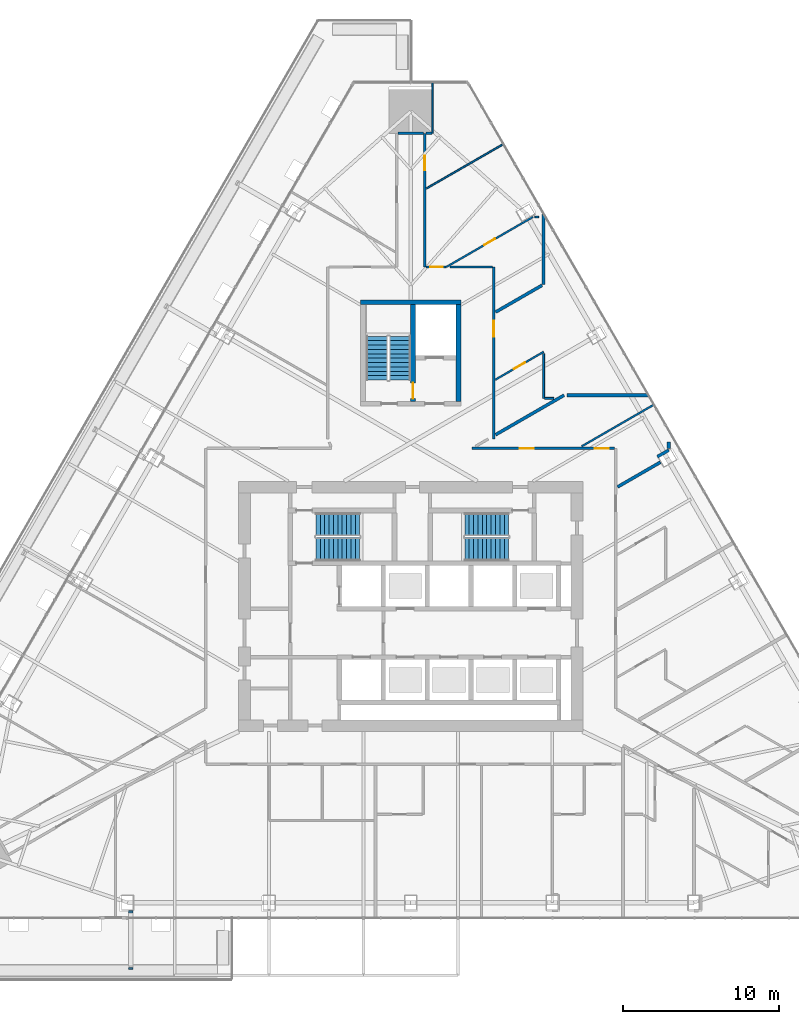
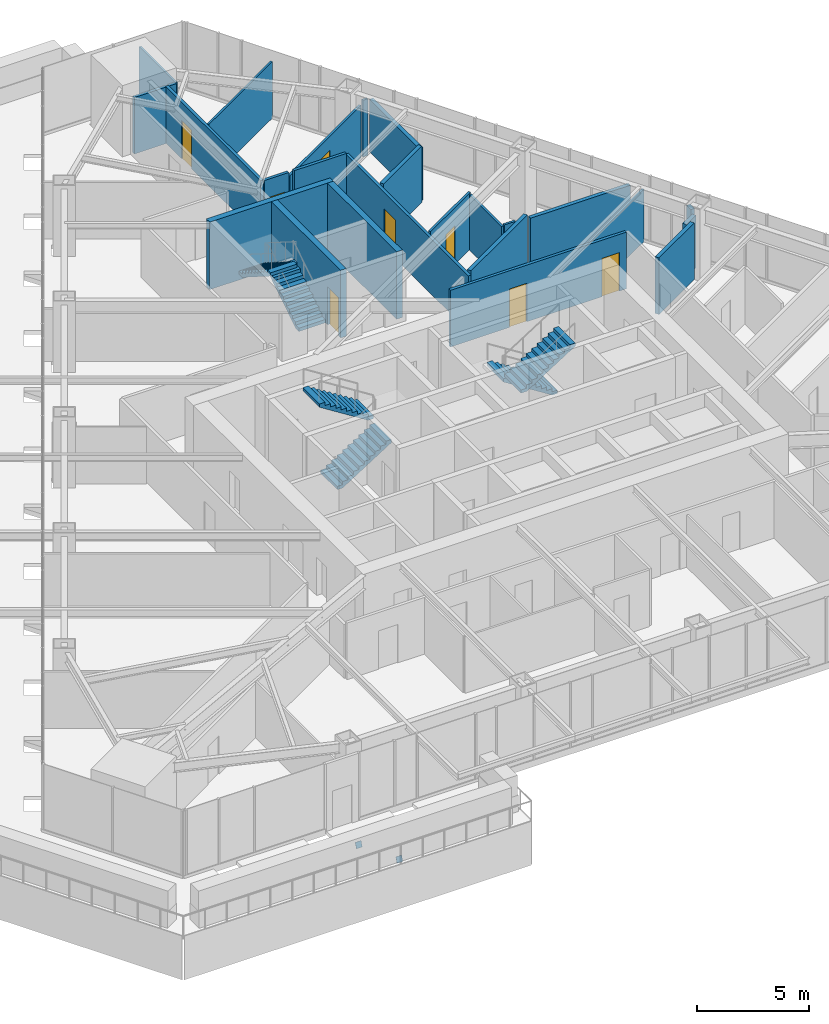
# One storey, part 31 of 35: 25 walls, 8 doors, 6 stair flights, 2 discrete accessories, 8 openings, 3 elements without a shape of their own.
"""IFC4 building model written with IfcOpenShell, lengths in metres."""

from ifc_helpers import new_model, si_unit, direction, frame, frame_2d, origin, place, context, subcontext, project, spatial, polyline, rectangle, outline, extrude, material, layer, layer_set, type_object, element, fill, aggregate, save


model = new_model("IFC4")

# Units and contexts
model_context = context("Model", 3, precision=1e-05, world=origin(), true_north=direction((0.0, 1.0)))
body_context = subcontext(model_context, "Body", "Model", "MODEL_VIEW")
ifc_project = project(units=[si_unit("LENGTHUNIT", "METRE"), si_unit("AREAUNIT", "SQUARE_METRE"), si_unit("VOLUMEUNIT", "CUBIC_METRE"), si_unit("PLANEANGLEUNIT", "RADIAN"), si_unit("MASSUNIT", "GRAM", prefix="KILO")], contexts=[model_context])

# Site, building, storey
site_placement = place(None, origin())
site = spatial("IfcSite", under=ifc_project, at=site_placement, CompositionType="ELEMENT")
building_placement = place(site_placement, origin())
building = spatial("IfcBuilding", under=site, at=building_placement, Name="Firuza Gate Tower and Library", CompositionType="ELEMENT")
storey_placement = place(building_placement, frame((0.0, 0.0, 159.699951171875)))
storey = spatial("IfcBuildingStorey", under=building, at=storey_placement, Name="L36", CompositionType="ELEMENT", Elevation=159.699951171875)

# Walls
ifc_material_1 = material(Name="Concrete C80/95", Category="concrete")
ifc_layer_1 = layer(ifc_material_1, 0.300048828125)
ifc_layer_set_1 = layer_set([ifc_layer_1], Name="Core wall 300 C80/95")
wall_type_1 = type_object("IfcWallType", Name="Core wall 300 C80/95", PredefinedType="SHEAR", material=ifc_layer_set_1)
wall_1_placement = place(storey_placement, frame((71.800048828125, 94.449951171875, 0.0), z_axis=(0.0, 0.0, 1.0), x_axis=(1.0, 0.0, 0.0)))
element("IfcWall", 1, at=wall_1_placement, inside=storey, type_object=wall_type_1, Name="Core wall L36 28", PredefinedType="SHEAR", context=body_context, shape_type="SweptSolid", body=[
    extrude(rectangle(XDim=6.39990234375, YDim=0.300048828125, at=frame_2d((3.199951171875, 0.0))), origin(), (0.0, 0.0, 1.0), 3.699951171875),
])
wall_2_placement = place(storey_placement, frame((78.050048828125, 88.10009765625, 0.0), z_axis=(0.0, 0.0, 1.0), x_axis=(0.0, 1.0, 0.0)))
element("IfcWall", 2, at=wall_2_placement, inside=storey, type_object=wall_type_1, Name="Core wall L36 30", PredefinedType="SHEAR", context=body_context, shape_type="SweptSolid", body=[
    extrude(rectangle(XDim=6.199951171875, YDim=0.300048828125, at=frame_2d((3.10009765625, 0.0))), origin(), (0.0, 0.0, 1.0), 3.699951171875),
])

# Wall, opening, door
wall_3_placement = place(storey_placement, frame((75.14990234375, 88.10009765625, 0.0), z_axis=(0.0, 0.0, 1.0), x_axis=(0.0, 1.0, 0.0)))
wall_3 = element("IfcWall", 3, at=wall_3_placement, inside=storey, type_object=wall_type_1, Name="Core wall L36 32", PredefinedType="SHEAR", context=body_context, shape_type="SweptSolid", body=[
    extrude(rectangle(XDim=6.199951171875, YDim=0.300048828125, at=frame_2d((3.10009765625, 0.0))), origin(), (0.0, 0.0, 1.0), 3.699951171875),
])
opening_1_placement = place(wall_3_placement, frame((0.18505859375, 0.0, 0.0)))
opening_1 = element("IfcOpeningElement", 4, at=opening_1_placement, cuts=wall_3, Name="Opening L36-K16", PredefinedType="OPENING", context=body_context, shape_type="SweptSolid", body=[
    extrude(rectangle(XDim=1.0, YDim=2.10009765625, at=frame_2d((0.5, 1.050048828125))), frame((0.0, 0.16015625, 0.0), z_axis=(0.0, -1.0, 0.0), x_axis=(1.0, 0.0, 0.0)), (0.0, 0.0, 1.0), 0.320068359375),
])
ifc_material_2 = material(Name="Steel", Category="steel")
door_type_1 = type_object("IfcDoorType", Name="Fire door 1000x2100 FD90", OperationType="NOTDEFINED", PredefinedType="DOOR", material=ifc_material_2)
door_1_placement = place(opening_1_placement, origin())
door_1 = element("IfcDoor", 5, at=door_1_placement, inside=storey, type_object=door_type_1, Name="Door L36-K16", OperationType="SINGLE_SWING_LEFT", OverallHeight=2.10009765625, OverallWidth=1.0, PredefinedType="DOOR", context=body_context, shape_type="SweptSolid", body=[
    extrude(rectangle(XDim=1.0, YDim=2.10009765625, at=frame_2d((0.5, 1.050048828125))), frame((0.0, 0.02490234375, 0.0), z_axis=(0.0, -1.0, 0.0), x_axis=(1.0, 0.0, 0.0)), (0.0, 0.0, 1.0), 0.050048828125),
])
fill(opening_1, door_1)

# Wall, openings, doors
ifc_material_3 = material(Name="Gypsum board partition")
ifc_layer_2 = layer(ifc_material_3, 0.14990234375)
ifc_layer_set_2 = layer_set([ifc_layer_2], Name="Corridor wall 150 double board on steel studs")
wall_type_2 = type_object("IfcWallType", Name="Corridor wall 150 double board on steel studs", PredefinedType="PARTITIONING", material=ifc_layer_set_2)
wall_4_placement = place(storey_placement, frame((78.912841796875, 85.10009765625, 0.0), z_axis=(0.0, 0.0, 1.0), x_axis=(1.0, 0.0, 0.0)))
wall_4 = element("IfcWall", 6, at=wall_4_placement, inside=storey, type_object=wall_type_2, Name="f:L36:w010", PredefinedType="PARTITIONING", context=body_context, shape_type="SweptSolid", body=[
    extrude(rectangle(XDim=9.112060546875, YDim=0.14990234375, at=frame_2d((4.55615234375, 0.0))), origin(), (0.0, 0.0, 1.0), 3.10009765625),
])
opening_2_placement = place(wall_4_placement, frame((3.04833984375, 0.0, 0.0)))
opening_2 = element("IfcOpeningElement", 7, at=opening_2_placement, cuts=wall_4, Name="Opening L36-10", PredefinedType="OPENING", context=body_context, shape_type="SweptSolid", body=[
    extrude(rectangle(XDim=0.89990234375, YDim=2.10009765625, at=frame_2d((0.449951171875, 1.050048828125))), frame((0.0, 0.0849609375, 0.0), z_axis=(0.0, -1.0, 0.0), x_axis=(1.0, 0.0, 0.0)), (0.0, 0.0, 1.0), 0.169921875),
])
opening_3_placement = place(wall_4_placement, frame((7.849853515625, 0.0, 0.0)))
opening_3 = element("IfcOpeningElement", 8, at=opening_3_placement, cuts=wall_4, Name="Opening L36-11", PredefinedType="OPENING", context=body_context, shape_type="SweptSolid", body=[
    extrude(rectangle(XDim=0.89990234375, YDim=2.10009765625, at=frame_2d((0.449951171875, 1.050048828125))), frame((0.0, 0.0849609375, 0.0), z_axis=(0.0, -1.0, 0.0), x_axis=(1.0, 0.0, 0.0)), (0.0, 0.0, 1.0), 0.169921875),
])
ifc_material_4 = material(Name="Steel door and timber leaf", Category="steel")
door_type_2 = type_object("IfcDoorType", Name="Fire door 900 x 2100 steel frame, timber leaf", OperationType="NOTDEFINED", PredefinedType="DOOR", material=ifc_material_4)
door_2_placement = place(opening_2_placement, origin())
door_2 = element("IfcDoor", 9, at=door_2_placement, inside=storey, type_object=door_type_2, Name="f:L36:d010", OperationType="SINGLE_SWING_LEFT", OverallHeight=2.10009765625, OverallWidth=0.89990234375, PredefinedType="DOOR", context=body_context, shape_type="SweptSolid", body=[
    extrude(rectangle(XDim=0.89990234375, YDim=2.10009765625, at=frame_2d((0.449951171875, 1.050048828125))), frame((0.0, 0.02490234375, 0.0), z_axis=(0.0, -1.0, 0.0), x_axis=(1.0, 0.0, 0.0)), (0.0, 0.0, 1.0), 0.050048828125),
])
fill(opening_2, door_2)
door_3_placement = place(opening_3_placement, origin())
door_3 = element("IfcDoor", 10, at=door_3_placement, inside=storey, type_object=door_type_2, Name="f:L36:d011", OperationType="SINGLE_SWING_RIGHT", OverallHeight=2.10009765625, OverallWidth=0.89990234375, PredefinedType="DOOR", context=body_context, shape_type="SweptSolid", body=[
    extrude(rectangle(XDim=0.89990234375, YDim=2.10009765625, at=frame_2d((0.449951171875, 1.050048828125))), frame((0.0, 0.02490234375, 0.0), z_axis=(0.0, -1.0, 0.0), x_axis=(1.0, 0.0, 0.0)), (0.0, 0.0, 1.0), 0.050048828125),
])
fill(opening_3, door_3)

# Wall, opening, door
wall_5_placement = place(storey_placement, frame((75.97509765625, 96.699951171875, 0.0), z_axis=(0.0, 0.0, 1.0), x_axis=(1.0, 0.0, 0.0)))
wall_5 = element("IfcWall", 11, at=wall_5_placement, inside=storey, type_object=wall_type_2, Name="f:L36:w014", PredefinedType="PARTITIONING", context=body_context, shape_type="SweptSolid", body=[
    extrude(rectangle(XDim=1.27001953125, YDim=0.14990234375, at=frame_2d((0.635009765625, 0.0))), origin(), (0.0, 0.0, 1.0), 3.10009765625),
])
opening_4_placement = place(wall_5_placement, frame((0.259521484375, 0.0, 0.0)))
opening_4 = element("IfcOpeningElement", 12, at=opening_4_placement, cuts=wall_5, Name="Opening L36-13", PredefinedType="OPENING", context=body_context, shape_type="SweptSolid", body=[
    extrude(rectangle(XDim=0.800048828125, YDim=2.10009765625, at=frame_2d((0.39990234375, 1.050048828125))), frame((0.0, 0.0849609375, 0.0), z_axis=(0.0, -1.0, 0.0), x_axis=(1.0, 0.0, 0.0)), (0.0, 0.0, 1.0), 0.169921875),
])
ifc_material_5 = material(Name="Timber door", Category="wood")
door_type_3 = type_object("IfcDoorType", Name="Door 800 x 2100 timber leaf", OperationType="NOTDEFINED", PredefinedType="DOOR", material=ifc_material_5)
door_4_placement = place(opening_4_placement, origin())
door_4 = element("IfcDoor", 13, at=door_4_placement, inside=storey, type_object=door_type_3, Name="f:L36:d013", OperationType="SINGLE_SWING_RIGHT", OverallHeight=2.10009765625, OverallWidth=0.800048828125, PredefinedType="DOOR", context=body_context, shape_type="SweptSolid", body=[
    extrude(rectangle(XDim=0.800048828125, YDim=2.10009765625, at=frame_2d((0.39990234375, 1.050048828125))), frame((0.0, 0.02490234375, 0.0), z_axis=(0.0, -1.0, 0.0), x_axis=(1.0, 0.0, 0.0)), (0.0, 0.0, 1.0), 0.050048828125),
])
fill(opening_4, door_4)

# Wall
wall_6_placement = place(storey_placement, frame((74.175537109375, 105.241943359375, 0.0), z_axis=(0.0, 0.0, 1.0), x_axis=(1.0, 0.0, 0.0)))
element("IfcWall", 14, at=wall_6_placement, inside=storey, type_object=wall_type_2, Name="f:L36:w016", PredefinedType="PARTITIONING", context=body_context, shape_type="SweptSolid", body=[
    extrude(rectangle(XDim=1.6494140625, YDim=0.14990234375, at=frame_2d((0.82470703125, 0.0))), origin(), (0.0, 0.0, 1.0), 3.09716796875),
])

# Wall, opening, door
wall_7_placement = place(storey_placement, frame((80.300048828125, 96.699951171875, 0.0), z_axis=(0.0, 0.0, 1.0), x_axis=(0.0, -1.0, 0.0)))
wall_7 = element("IfcWall", 15, at=wall_7_placement, inside=storey, type_object=wall_type_2, Name="f:L36:w053", PredefinedType="PARTITIONING", context=body_context, shape_type="SweptSolid", body=[
    extrude(rectangle(XDim=11.0, YDim=0.14990234375, at=frame_2d((5.5, 0.0))), origin(), (0.0, 0.0, 1.0), 3.02197265625),
])
opening_5_placement = place(wall_7_placement, frame((3.452392578125, 0.0, 0.0)))
opening_5 = element("IfcOpeningElement", 16, at=opening_5_placement, cuts=wall_7, Name="Opening L36-27", PredefinedType="OPENING", context=body_context, shape_type="SweptSolid", body=[
    extrude(rectangle(XDim=1.0, YDim=2.10009765625, at=frame_2d((0.5, 1.050048828125))), frame((0.0, 0.0849609375, 0.0), z_axis=(0.0, -1.0, 0.0), x_axis=(1.0, 0.0, 0.0)), (0.0, 0.0, 1.0), 0.169921875),
])
ifc_material_6 = material(Name="Steel door and timber leaf", Category="steel")
door_type_4 = type_object("IfcDoorType", Name="Fire door 1000 x 2100 steel frame, timber leaf", OperationType="NOTDEFINED", PredefinedType="DOOR", material=ifc_material_6)
door_5_placement = place(opening_5_placement, origin())
door_5 = element("IfcDoor", 17, at=door_5_placement, inside=storey, type_object=door_type_4, Name="f:L36:d027", OperationType="SINGLE_SWING_LEFT", OverallHeight=2.10009765625, OverallWidth=1.0, PredefinedType="DOOR", context=body_context, shape_type="SweptSolid", body=[
    extrude(rectangle(XDim=1.0, YDim=2.10009765625, at=frame_2d((0.5, 1.050048828125))), frame((0.0, 0.02490234375, 0.0), z_axis=(0.0, -1.0, 0.0), x_axis=(1.0, 0.0, 0.0)), (0.0, 0.0, 1.0), 0.050048828125),
])
fill(opening_5, door_5)

wall_8_placement = place(storey_placement, frame((75.89990234375, 105.242431640625, 0.0), z_axis=(0.0, 0.0, 1.0), x_axis=(0.0, -1.0, 0.0)))
wall_8 = element("IfcWall", 18, at=wall_8_placement, inside=storey, type_object=wall_type_2, Name="f:L36:w056", PredefinedType="PARTITIONING", context=body_context, shape_type="SweptSolid", body=[
    extrude(rectangle(XDim=8.54248046875, YDim=0.14990234375, at=frame_2d((4.271240234375, 0.0))), origin(), (0.0, 0.0, 1.0), 3.10009765625),
])
opening_6_placement = place(wall_8_placement, frame((1.444580078125, 0.0, 0.0)))
opening_6 = element("IfcOpeningElement", 19, at=opening_6_placement, cuts=wall_8, Name="Opening L36-28", PredefinedType="OPENING", context=body_context, shape_type="SweptSolid", body=[
    extrude(rectangle(XDim=0.89990234375, YDim=2.10009765625, at=frame_2d((0.449951171875, 1.050048828125))), frame((0.0, 0.0849609375, 0.0), z_axis=(0.0, -1.0, 0.0), x_axis=(1.0, 0.0, 0.0)), (0.0, 0.0, 1.0), 0.169921875),
])
door_6_placement = place(opening_6_placement, origin())
door_6 = element("IfcDoor", 20, at=door_6_placement, inside=storey, type_object=door_type_2, Name="f:L36:d028", OperationType="SINGLE_SWING_LEFT", OverallHeight=2.10009765625, OverallWidth=0.89990234375, PredefinedType="DOOR", context=body_context, shape_type="SweptSolid", body=[
    extrude(rectangle(XDim=0.89990234375, YDim=2.10009765625, at=frame_2d((0.449951171875, 1.050048828125))), frame((0.0, 0.02490234375, 0.0), z_axis=(0.0, -1.0, 0.0), x_axis=(1.0, 0.0, 0.0)), (0.0, 0.0, 1.0), 0.050048828125),
])
fill(opening_6, door_6)

# Walls
wall_9_placement = place(storey_placement, frame((77.525146484375, 96.699951171875, 0.0), z_axis=(0.0, 0.0, 1.0), x_axis=(1.0, 0.0, 0.0)))
element("IfcWall", 21, at=wall_9_placement, inside=storey, type_object=wall_type_2, Name="f:L36:w082", PredefinedType="PARTITIONING", context=body_context, shape_type="SweptSolid", body=[
    extrude(rectangle(XDim=2.699951171875, YDim=0.14990234375, at=frame_2d((1.35009765625, 0.0))), origin(), (0.0, 0.0, 1.0), 3.10009765625),
])
wall_10_placement = place(storey_placement, frame((75.97509765625, 105.241943359375, 0.0), z_axis=(0.0, 0.0, 1.0), x_axis=(1.0, 0.0, 0.0)))
element("IfcWall", 22, at=wall_10_placement, inside=storey, type_object=wall_type_2, Name="f:L36:w083", PredefinedType="PARTITIONING", context=body_context, shape_type="SweptSolid", body=[
    extrude(rectangle(XDim=0.37451171875, YDim=0.14990234375, at=frame_2d((0.187255859375, 0.0))), origin(), (0.0, 0.0, 1.0), 3.10009765625),
])
ifc_material_7 = material(Name="Gypsum board partition")
ifc_layer_3 = layer(ifc_material_7, 0.199951171875)
ifc_layer_set_3 = layer_set([ifc_layer_3], Name="Demising wall 200 acoustic double stud")
wall_type_3 = type_object("IfcWallType", Name="Demising wall 200 acoustic double stud", PredefinedType="PARTITIONING", material=ifc_layer_set_3)
wall_11_placement = place(storey_placement, frame((85.003662109375, 88.5, 0.0), z_axis=(0.0, 0.0, 1.0), x_axis=(1.0, 0.0, 0.0)))
element("IfcWall", 23, at=wall_11_placement, inside=storey, type_object=wall_type_3, Name="f:L36:w012", PredefinedType="PARTITIONING", context=body_context, shape_type="SweptSolid", body=[
    extrude(rectangle(XDim=5.179443359375, YDim=0.199951171875, at=frame_2d((2.58984375, 0.0))), origin(), (0.0, 0.0, 1.0), 2.864990234375),
])
wall_12_placement = place(storey_placement, frame((88.226806640625, 82.63671875, 0.0), z_axis=(0.0, 0.0, 1.0), x_axis=(0.866046892487, 0.499962778628, 0.0)))
element("IfcWall", 24, at=wall_12_placement, inside=storey, type_object=wall_type_3, Name="f:L36:w025", PredefinedType="PARTITIONING", context=body_context, shape_type="SweptSolid", body=[
    extrude(rectangle(XDim=3.165771484375, YDim=0.199951171875, at=frame_2d((1.5830078125, 0.0))), origin(), (0.0, 0.0, 1.0), 3.10009765625),
])
wall_13_placement = place(storey_placement, frame((90.7685546875, 84.56591796875, 0.0), z_axis=(0.0, 0.0, 1.0), x_axis=(0.865993035835, 0.500056058743, 0.0)))
element("IfcWall", 25, at=wall_13_placement, inside=storey, type_object=wall_type_3, Name="f:L36:w026", PredefinedType="PARTITIONING", context=body_context, shape_type="SweptSolid", body=[
    extrude(rectangle(XDim=0.8447265625, YDim=0.199951171875, at=frame_2d((0.42236328125, 0.0))), origin(), (0.0, 0.0, 1.0), 2.864990234375),
])
wall_14_placement = place(storey_placement, frame((80.42724609375, 85.973876953125, 0.0), z_axis=(0.0, 0.0, 1.0), x_axis=(0.866031085144, 0.499990159468, 0.0)))
element("IfcWall", 26, at=wall_14_placement, inside=storey, type_object=wall_type_3, Name="f:L36:w031", PredefinedType="PARTITIONING", context=body_context, shape_type="SweptSolid", body=[
    extrude(rectangle(XDim=5.05224609375, YDim=0.199951171875, at=frame_2d((2.526123046875, 0.0))), origin(), (0.0, 0.0, 1.0), 3.10009765625),
])
wall_15_placement = place(storey_placement, frame((80.427001953125, 93.8154296875, 0.0), z_axis=(0.0, 0.0, 1.0), x_axis=(0.866037544249, 0.499978971509, 0.0)))
element("IfcWall", 27, at=wall_15_placement, inside=storey, type_object=wall_type_3, Name="f:L36:w033", PredefinedType="PARTITIONING", context=body_context, shape_type="SweptSolid", body=[
    extrude(rectangle(XDim=3.432861328125, YDim=0.199951171875, at=frame_2d((1.71630859375, 0.0))), origin(), (0.0, 0.0, 1.0), 3.10009765625),
])
wall_16_placement = place(storey_placement, frame((91.5, 85.103515625, 0.0), z_axis=(0.0, 0.0, 1.0), x_axis=(0.0, 1.0, 0.0)))
element("IfcWall", 28, at=wall_16_placement, inside=storey, type_object=wall_type_3, Name="f:L36:w042", PredefinedType="PARTITIONING", context=body_context, shape_type="SweptSolid", body=[
    extrude(rectangle(XDim=0.395263671875, YDim=0.199951171875, at=frame_2d((0.19775390625, 0.0))), origin(), (0.0, 0.0, 1.0), 3.10009765625),
])
wall_17_placement = place(storey_placement, frame((83.5, 95.58935546875, 0.0), z_axis=(0.0, 0.0, 1.0), x_axis=(0.0, 1.0, 0.0)))
element("IfcWall", 29, at=wall_17_placement, inside=storey, type_object=wall_type_3, Name="f:L36:w052", PredefinedType="PARTITIONING", context=body_context, shape_type="SweptSolid", body=[
    extrude(rectangle(XDim=4.48583984375, YDim=0.199951171875, at=frame_2d((2.242919921875, 0.0))), origin(), (0.0, 0.0, 1.0), 2.864990234375),
])
ifc_material_8 = material(Name="Gypsum board partition")
ifc_layer_4 = layer(ifc_material_8, 0.10009765625)
ifc_layer_set_4 = layer_set([ifc_layer_4], Name="Partition 100 gypsum board on steel studs")
wall_type_4 = type_object("IfcWallType", Name="Partition 100 gypsum board on steel studs", PredefinedType="PARTITIONING", material=ifc_layer_set_4)
wall_18_placement = place(storey_placement, frame((76.0009765625, 101.714599609375, 0.0), z_axis=(0.0, 0.0, 1.0), x_axis=(0.866015782696, 0.500016663843, 0.0)))
element("IfcWall", 30, at=wall_18_placement, inside=storey, type_object=wall_type_4, Name="f:L36:w035", PredefinedType="PARTITIONING", context=body_context, shape_type="SweptSolid", body=[
    extrude(rectangle(XDim=5.674560546875, YDim=0.10009765625, at=frame_2d((2.83740234375, 0.0))), origin(), (0.0, 0.0, 1.0), 3.10009765625),
])
wall_19_placement = place(storey_placement, frame((76.39990234375, 105.242919921875, 0.0), z_axis=(0.0, 0.0, 1.0), x_axis=(0.0, 1.0, 0.0)))
element("IfcWall", 31, at=wall_19_placement, inside=storey, type_object=wall_type_4, Name="f:L36:w055", PredefinedType="PARTITIONING", context=body_context, shape_type="SweptSolid", body=[
    extrude(rectangle(XDim=3.259521484375, YDim=0.10009765625, at=frame_2d((1.6298828125, 0.0))), origin(), (0.0, 0.0, 1.0), 3.10009765625),
])
ifc_material_9 = material(Name="Gypsum board partition")
ifc_layer_5 = layer(ifc_material_9, 0.1201171875)
ifc_layer_set_5 = layer_set([ifc_layer_5], Name="Wet-area partition 120 moisture-resistant board")
wall_type_5 = type_object("IfcWallType", Name="Wet-area partition 120 moisture-resistant board", PredefinedType="PARTITIONING", material=ifc_layer_set_5)
wall_20_placement = place(storey_placement, frame((83.56005859375, 88.300048828125, 0.0), z_axis=(0.0, 0.0, 1.0), x_axis=(1.0, 0.0, 0.0)))
element("IfcWall", 32, at=wall_20_placement, inside=storey, type_object=wall_type_5, Name="f:L36:w011", PredefinedType="PARTITIONING", context=body_context, shape_type="SweptSolid", body=[
    extrude(rectangle(XDim=0.585205078125, YDim=0.1201171875, at=frame_2d((0.29248046875, 0.0))), origin(), (0.0, 0.0, 1.0), 3.10009765625),
])
wall_21_placement = place(storey_placement, frame((82.9375, 99.89990234375, 0.0), z_axis=(0.0, 0.0, 1.0), x_axis=(1.0, 0.0, 0.0)))
element("IfcWall", 33, at=wall_21_placement, inside=storey, type_object=wall_type_5, Name="f:L36:w015", PredefinedType="PARTITIONING", context=body_context, shape_type="SweptSolid", body=[
    extrude(rectangle(XDim=0.248046875, YDim=0.1201171875, at=frame_2d((0.1240234375, 0.0))), origin(), (0.0, 0.0, 1.0), 3.10009765625),
])
wall_22_placement = place(storey_placement, frame((85.928466796875, 85.22998046875, 0.0), z_axis=(0.0, 0.0, 1.0), x_axis=(0.866037319036, 0.49997936161, 0.0)))
element("IfcWall", 34, at=wall_22_placement, inside=storey, type_object=wall_type_5, Name="f:L36:w029", PredefinedType="PARTITIONING", context=body_context, shape_type="SweptSolid", body=[
    extrude(rectangle(XDim=5.319580078125, YDim=0.1201171875, at=frame_2d((2.65966796875, 0.0))), origin(), (0.0, 0.0, 1.0), 2.864990234375),
])

# Wall, opening, door
wall_23_placement = place(storey_placement, frame((83.5, 91.27685546875, 0.0), z_axis=(0.0, 0.0, 1.0), x_axis=(-0.866028357664, -0.499994883695, 0.0)))
wall_23 = element("IfcWall", 35, at=wall_23_placement, inside=storey, type_object=wall_type_5, Name="f:L36:w032", PredefinedType="PARTITIONING", context=body_context, shape_type="SweptSolid", body=[
    extrude(rectangle(XDim=3.568359375, YDim=0.1201171875, at=frame_2d((1.7841796875, 0.0))), origin(), (0.0, 0.0, 1.0), 3.10009765625),
])
opening_7_placement = place(wall_23_placement, frame((1.38427734375, 0.0, 0.0)))
opening_7 = element("IfcOpeningElement", 36, at=opening_7_placement, cuts=wall_23, Name="Opening L36-21", PredefinedType="OPENING", context=body_context, shape_type="SweptSolid", body=[
    extrude(rectangle(XDim=0.800048828125, YDim=2.10009765625, at=frame_2d((0.39990234375, 1.050048828125))), frame((0.0, 0.070068359375, 0.0), z_axis=(0.0, -1.0, 0.0), x_axis=(1.0, 0.0, 0.0)), (0.0, 0.0, 1.0), 0.14013671875),
])
door_7_placement = place(opening_7_placement, origin())
door_7 = element("IfcDoor", 37, at=door_7_placement, inside=storey, type_object=door_type_3, Name="f:L36:d021", OperationType="SINGLE_SWING_RIGHT", OverallHeight=2.10009765625, OverallWidth=0.800048828125, PredefinedType="DOOR", context=body_context, shape_type="SweptSolid", body=[
    extrude(rectangle(XDim=0.800048828125, YDim=2.10009765625, at=frame_2d((0.39990234375, 1.050048828125))), frame((0.0, 0.02490234375, 0.0), z_axis=(0.0, -1.0, 0.0), x_axis=(1.0, 0.0, 0.0)), (0.0, 0.0, 1.0), 0.050048828125),
])
fill(opening_7, door_7)

wall_24_placement = place(storey_placement, frame((82.817626953125, 99.89990234375, 0.0), z_axis=(0.0, 0.0, 1.0), x_axis=(-0.866025499775, -0.499999833739, 0.0)))
wall_24 = element("IfcWall", 38, at=wall_24_placement, inside=storey, type_object=wall_type_5, Name="f:L36:w034", PredefinedType="PARTITIONING", context=body_context, shape_type="SweptSolid", body=[
    extrude(rectangle(XDim=6.39990234375, YDim=0.1201171875, at=frame_2d((3.199951171875, 0.0))), origin(), (0.0, 0.0, 1.0), 2.864990234375),
])
opening_8_placement = place(wall_24_placement, frame((2.800048828125, 0.0, 0.0)))
opening_8 = element("IfcOpeningElement", 39, at=opening_8_placement, cuts=wall_24, Name="Opening L36-22", PredefinedType="OPENING", context=body_context, shape_type="SweptSolid", body=[
    extrude(rectangle(XDim=0.800048828125, YDim=2.10009765625, at=frame_2d((0.39990234375, 1.050048828125))), frame((0.0, 0.070068359375, 0.0), z_axis=(0.0, -1.0, 0.0), x_axis=(1.0, 0.0, 0.0)), (0.0, 0.0, 1.0), 0.14013671875),
])
door_8_placement = place(opening_8_placement, origin())
door_8 = element("IfcDoor", 40, at=door_8_placement, inside=storey, type_object=door_type_3, Name="f:L36:d022", OperationType="SINGLE_SWING_RIGHT", OverallHeight=2.10009765625, OverallWidth=0.800048828125, PredefinedType="DOOR", context=body_context, shape_type="SweptSolid", body=[
    extrude(rectangle(XDim=0.800048828125, YDim=2.10009765625, at=frame_2d((0.39990234375, 1.050048828125))), frame((0.0, 0.02490234375, 0.0), z_axis=(0.0, -1.0, 0.0), x_axis=(1.0, 0.0, 0.0)), (0.0, 0.0, 1.0), 0.050048828125),
])
fill(opening_8, door_8)

# Wall
wall_25_placement = place(storey_placement, frame((83.5, 88.300048828125, 0.0), z_axis=(0.0, 0.0, 1.0), x_axis=(0.0, 1.0, 0.0)))
element("IfcWall", 41, at=wall_25_placement, inside=storey, type_object=wall_type_5, Name="f:L36:w051", PredefinedType="PARTITIONING", context=body_context, shape_type="SweptSolid", body=[
    extrude(rectangle(XDim=2.86767578125, YDim=0.1201171875, at=frame_2d((1.433837890625, 0.0))), origin(), (0.0, 0.0, 1.0), 3.02197265625),
])

# Stair, stair flights
ifc_material_10 = material(Name="Concrete C35/45", Category="concrete")
stair_type_1 = type_object("IfcStairType", Name="Exit stair ST16", PredefinedType="HALF_TURN_STAIR", material=ifc_material_10)
placement = place(storey_placement, origin())
stair_1 = element("IfcStair", 42, at=placement, inside=storey, type_object=stair_type_1, Name="L36 Stair ST3", PredefinedType="HALF_TURN_STAIR")
ifc_material_11 = material(Name="Concrete C35/45", Category="concrete")
stair_flight_type_1 = type_object("IfcStairFlightType", Name="Stair flight 11 risers 177.3 width 1370", PredefinedType="STRAIGHT", material=ifc_material_11)
stair_flight_1_placement = place(storey_placement, frame((74.31494140625, 89.469970703125, 0.0), z_axis=(0.0, 0.0, 1.0), x_axis=(0.0, 1.0, 0.0)))
stair_flight_1 = element("IfcStairFlight", 43, at=stair_flight_1_placement, type_object=stair_flight_type_1, Name="ST3 flight 1", NumberOfRisers=11, NumberOfTreads=10, PredefinedType="STRAIGHT", RiserHeight=0.177272727, TreadLength=0.28, context=body_context, shape_type="SweptSolid", body=[
    extrude(outline(polyline([(0.0, 0.0), (0.0, 0.17724609375), (0.280029296875, 0.17724609375), (0.280029296875, 0.3544921875), (0.56005859375, 0.3544921875), (0.56005859375, 0.53173828125), (0.840087890625, 0.53173828125), (0.840087890625, 0.708984375), (1.1201171875, 0.708984375), (1.1201171875, 0.886474609375), (1.39990234375, 0.886474609375), (1.39990234375, 1.063720703125), (1.679931640625, 1.063720703125), (1.679931640625, 1.240966796875), (1.9599609375, 1.240966796875), (1.9599609375, 1.418212890625), (2.239990234375, 1.418212890625), (2.239990234375, 1.595458984375), (2.52001953125, 1.595458984375), (2.52001953125, 1.772705078125), (2.800048828125, 1.772705078125), (2.800048828125, 1.949951171875), (2.800048828125, 1.59521484375), (0.2802734375, 0.0), (0.0, 0.0)])), frame((0.0, 0.68505859375, 0.0), z_axis=(0.0, -1.0, 0.0), x_axis=(1.0, 0.0, 0.0)), (0.0, 0.0, 1.0), 1.3701171875),
])
stair_flight_2_placement = place(storey_placement, frame((72.844970703125, 92.27001953125, 1.949951171875), z_axis=(0.0, 0.0, 1.0), x_axis=(0.0, -1.0, 0.0)))
stair_flight_2 = element("IfcStairFlight", 44, at=stair_flight_2_placement, type_object=stair_flight_type_1, Name="ST3 flight 2", NumberOfRisers=11, NumberOfTreads=10, PredefinedType="STRAIGHT", RiserHeight=0.177272727, TreadLength=0.28, context=body_context, shape_type="SweptSolid", body=[
    extrude(outline(polyline([(0.0, 0.0), (0.0, 0.17724609375), (0.280029296875, 0.17724609375), (0.280029296875, 0.3544921875), (0.56005859375, 0.3544921875), (0.56005859375, 0.53173828125), (0.840087890625, 0.53173828125), (0.840087890625, 0.708984375), (1.1201171875, 0.708984375), (1.1201171875, 0.886474609375), (1.39990234375, 0.886474609375), (1.39990234375, 1.063720703125), (1.679931640625, 1.063720703125), (1.679931640625, 1.240966796875), (1.9599609375, 1.240966796875), (1.9599609375, 1.418212890625), (2.239990234375, 1.418212890625), (2.239990234375, 1.595458984375), (2.52001953125, 1.595458984375), (2.52001953125, 1.772705078125), (2.800048828125, 1.772705078125), (2.800048828125, 1.949951171875), (2.800048828125, 1.59521484375), (0.2802734375, 0.0), (0.0, 0.0)])), frame((0.0, 0.68505859375, 0.0), z_axis=(0.0, -1.0, 0.0), x_axis=(1.0, 0.0, 0.0)), (0.0, 0.0, 1.0), 1.3701171875),
])
aggregate(stair_1, [stair_flight_1, stair_flight_2])

ifc_material_12 = material(Name="Concrete C35/45", Category="concrete")
stair_type_2 = type_object("IfcStairType", Name="Exit stair ST7", PredefinedType="HALF_TURN_STAIR", material=ifc_material_12)
stair_2 = element("IfcStair", 45, at=placement, inside=storey, type_object=stair_type_2, Name="L36 Stair ST1", PredefinedType="HALF_TURN_STAIR")
ifc_material_13 = material(Name="Concrete C35/45", Category="concrete")
stair_flight_type_2 = type_object("IfcStairFlightType", Name="Stair flight 11 risers 177.3 width 1490", PredefinedType="STRAIGHT", material=ifc_material_13)
stair_flight_3_placement = place(storey_placement, frame((68.93994140625, 78.64501953125, 0.0), z_axis=(0.0, 0.0, 1.0), x_axis=(1.0, 0.0, 0.0)))
stair_flight_3 = element("IfcStairFlight", 46, at=stair_flight_3_placement, type_object=stair_flight_type_2, Name="ST1 flight 1", NumberOfRisers=11, NumberOfTreads=10, PredefinedType="STRAIGHT", RiserHeight=0.177272727, TreadLength=0.28, context=body_context, shape_type="SweptSolid", body=[
    extrude(outline(polyline([(0.0, 0.0), (0.0, 0.17724609375), (0.280029296875, 0.17724609375), (0.280029296875, 0.3544921875), (0.56005859375, 0.3544921875), (0.56005859375, 0.53173828125), (0.840087890625, 0.53173828125), (0.840087890625, 0.708984375), (1.1201171875, 0.708984375), (1.1201171875, 0.886474609375), (1.39990234375, 0.886474609375), (1.39990234375, 1.063720703125), (1.679931640625, 1.063720703125), (1.679931640625, 1.240966796875), (1.9599609375, 1.240966796875), (1.9599609375, 1.418212890625), (2.239990234375, 1.418212890625), (2.239990234375, 1.595458984375), (2.52001953125, 1.595458984375), (2.52001953125, 1.772705078125), (2.800048828125, 1.772705078125), (2.800048828125, 1.949951171875), (2.800048828125, 1.59521484375), (0.2802734375, 0.0), (0.0, 0.0)])), frame((0.0, 0.7451171875, 0.0), z_axis=(0.0, -1.0, 0.0), x_axis=(1.0, 0.0, 0.0)), (0.0, 0.0, 1.0), 1.489990234375),
])
stair_flight_4_placement = place(storey_placement, frame((71.739990234375, 80.235107421875, 1.949951171875), z_axis=(0.0, 0.0, 1.0), x_axis=(-1.0, 0.0, 0.0)))
stair_flight_4 = element("IfcStairFlight", 47, at=stair_flight_4_placement, type_object=stair_flight_type_2, Name="ST1 flight 2", NumberOfRisers=11, NumberOfTreads=10, PredefinedType="STRAIGHT", RiserHeight=0.177272727, TreadLength=0.28, context=body_context, shape_type="SweptSolid", body=[
    extrude(outline(polyline([(0.0, 0.0), (0.0, 0.17724609375), (0.280029296875, 0.17724609375), (0.280029296875, 0.3544921875), (0.56005859375, 0.3544921875), (0.56005859375, 0.53173828125), (0.840087890625, 0.53173828125), (0.840087890625, 0.708984375), (1.1201171875, 0.708984375), (1.1201171875, 0.886474609375), (1.39990234375, 0.886474609375), (1.39990234375, 1.063720703125), (1.679931640625, 1.063720703125), (1.679931640625, 1.240966796875), (1.9599609375, 1.240966796875), (1.9599609375, 1.418212890625), (2.239990234375, 1.418212890625), (2.239990234375, 1.595458984375), (2.52001953125, 1.595458984375), (2.52001953125, 1.772705078125), (2.800048828125, 1.772705078125), (2.800048828125, 1.949951171875), (2.800048828125, 1.59521484375), (0.2802734375, 0.0), (0.0, 0.0)])), frame((0.0, 0.7451171875, 0.0), z_axis=(0.0, -1.0, 0.0), x_axis=(1.0, 0.0, 0.0)), (0.0, 0.0, 1.0), 1.489990234375),
])
aggregate(stair_2, [stair_flight_3, stair_flight_4])

stair_3 = element("IfcStair", 48, at=placement, inside=storey, type_object=stair_type_2, Name="L36 Stair ST2", PredefinedType="HALF_TURN_STAIR")
stair_flight_5_placement = place(storey_placement, frame((81.260009765625, 80.235107421875, 0.0), z_axis=(0.0, 0.0, 1.0), x_axis=(-1.0, 0.0, 0.0)))
stair_flight_5 = element("IfcStairFlight", 49, at=stair_flight_5_placement, type_object=stair_flight_type_2, Name="ST2 flight 1", NumberOfRisers=11, NumberOfTreads=10, PredefinedType="STRAIGHT", RiserHeight=0.177272727, TreadLength=0.28, context=body_context, shape_type="SweptSolid", body=[
    extrude(outline(polyline([(0.0, 0.0), (0.0, 0.17724609375), (0.280029296875, 0.17724609375), (0.280029296875, 0.3544921875), (0.56005859375, 0.3544921875), (0.56005859375, 0.53173828125), (0.840087890625, 0.53173828125), (0.840087890625, 0.708984375), (1.1201171875, 0.708984375), (1.1201171875, 0.886474609375), (1.39990234375, 0.886474609375), (1.39990234375, 1.063720703125), (1.679931640625, 1.063720703125), (1.679931640625, 1.240966796875), (1.9599609375, 1.240966796875), (1.9599609375, 1.418212890625), (2.239990234375, 1.418212890625), (2.239990234375, 1.595458984375), (2.52001953125, 1.595458984375), (2.52001953125, 1.772705078125), (2.800048828125, 1.772705078125), (2.800048828125, 1.949951171875), (2.800048828125, 1.59521484375), (0.2802734375, 0.0), (0.0, 0.0)])), frame((0.0, 0.7451171875, 0.0), z_axis=(0.0, -1.0, 0.0), x_axis=(1.0, 0.0, 0.0)), (0.0, 0.0, 1.0), 1.489990234375),
])
stair_flight_6_placement = place(storey_placement, frame((78.4599609375, 78.64501953125, 1.949951171875), z_axis=(0.0, 0.0, 1.0), x_axis=(1.0, 0.0, 0.0)))
stair_flight_6 = element("IfcStairFlight", 50, at=stair_flight_6_placement, type_object=stair_flight_type_2, Name="ST2 flight 2", NumberOfRisers=11, NumberOfTreads=10, PredefinedType="STRAIGHT", RiserHeight=0.177272727, TreadLength=0.28, context=body_context, shape_type="SweptSolid", body=[
    extrude(outline(polyline([(0.0, 0.0), (0.0, 0.17724609375), (0.280029296875, 0.17724609375), (0.280029296875, 0.3544921875), (0.56005859375, 0.3544921875), (0.56005859375, 0.53173828125), (0.840087890625, 0.53173828125), (0.840087890625, 0.708984375), (1.1201171875, 0.708984375), (1.1201171875, 0.886474609375), (1.39990234375, 0.886474609375), (1.39990234375, 1.063720703125), (1.679931640625, 1.063720703125), (1.679931640625, 1.240966796875), (1.9599609375, 1.240966796875), (1.9599609375, 1.418212890625), (2.239990234375, 1.418212890625), (2.239990234375, 1.595458984375), (2.52001953125, 1.595458984375), (2.52001953125, 1.772705078125), (2.800048828125, 1.772705078125), (2.800048828125, 1.949951171875), (2.800048828125, 1.59521484375), (0.2802734375, 0.0), (0.0, 0.0)])), frame((0.0, 0.7451171875, 0.0), z_axis=(0.0, -1.0, 0.0), x_axis=(1.0, 0.0, 0.0)), (0.0, 0.0, 1.0), 1.489990234375),
])
aggregate(stair_3, [stair_flight_5, stair_flight_6])

# Discrete accessories
ifc_material_14 = material(Name="Steel S355", Category="steel")
ifc_layer_6 = layer(ifc_material_14, 0.02001953125)
ifc_layer_set_6 = layer_set([ifc_layer_6], Name="Strut seat plate 304x304x20 Steel S355")
discrete_accessory_type = type_object("IfcDiscreteAccessoryType", Name="Strut seat plate 304x304x20 Steel S355", PredefinedType="BRACKET", material=ifc_layer_set_6)
discrete_accessory_1_placement = place(storey_placement, frame((57.251953125, 55.520263671875, -1.53564453125), z_axis=(0.0, -0.931763276578, 0.363066380184), x_axis=(-1.0, 0.0, 0.0)))
element("IfcDiscreteAccessory", 51, at=discrete_accessory_1_placement, inside=storey, type_object=discrete_accessory_type, Name="Strut seat plate L36 col:L35:S1", PredefinedType="BRACKET", context=body_context, shape_type="SweptSolid", body=[
    extrude(outline(polyline([(0.0, 0.0), (0.303955078125, 0.0), (0.303955078125, 0.3039432140317613), (0.0, 0.3039432140317613), (0.0, 0.0)])), origin(), (0.0, 0.0, -1.0), 0.02001953125),
])
discrete_accessory_2_placement = place(storey_placement, frame((56.947998046875, 51.8828125, -0.12109375), z_axis=(0.0, -0.932034825678, 0.362368712397), x_axis=(1.0, 0.0, 0.0)))
element("IfcDiscreteAccessory", 52, at=discrete_accessory_2_placement, inside=storey, type_object=discrete_accessory_type, Name="Strut seat plate L36 col:L35:S1", PredefinedType="BRACKET", context=body_context, shape_type="SweptSolid", body=[
    extrude(outline(polyline([(0.0, 0.0), (0.303955078125, 0.0), (0.303955078125, -0.30385465993090327), (0.0, -0.30385465993090327), (0.0, 0.0)])), origin(), (0.0, 0.0, -1.0), 0.02001953125),
])

save(model, "model.ifc")
